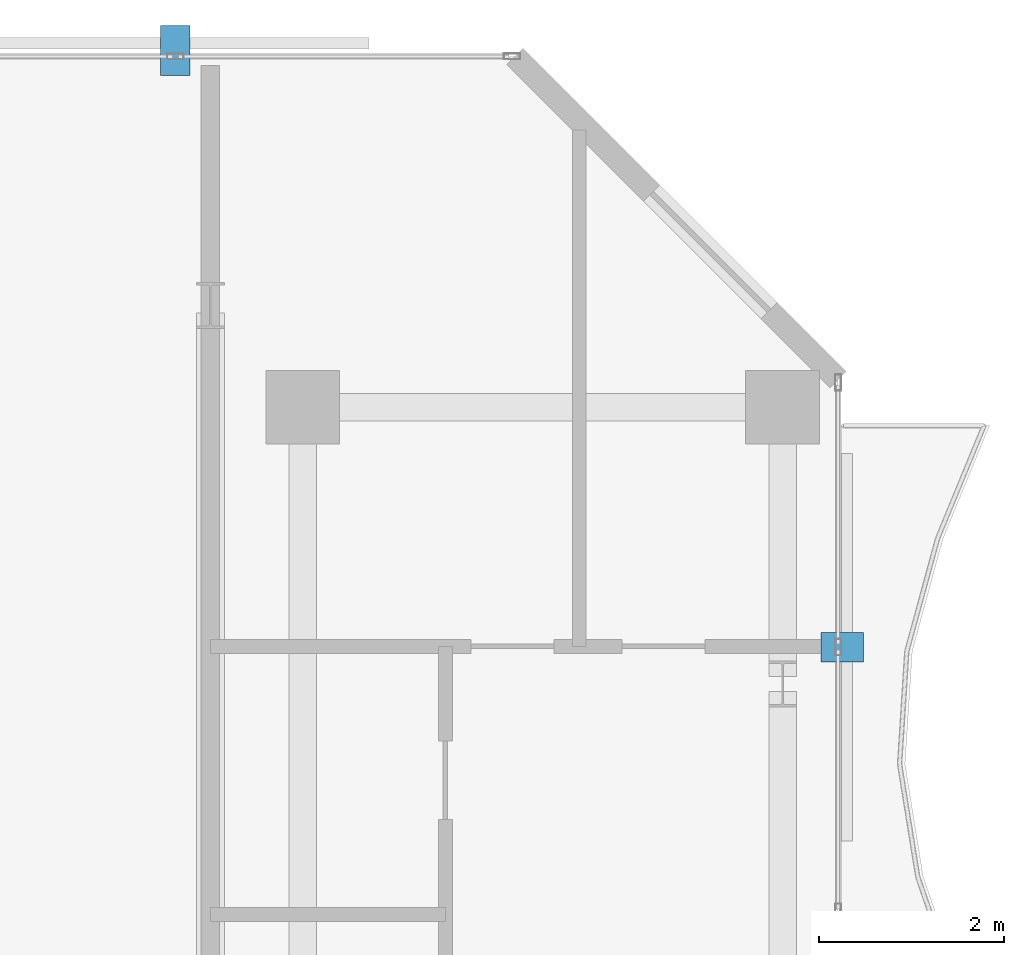
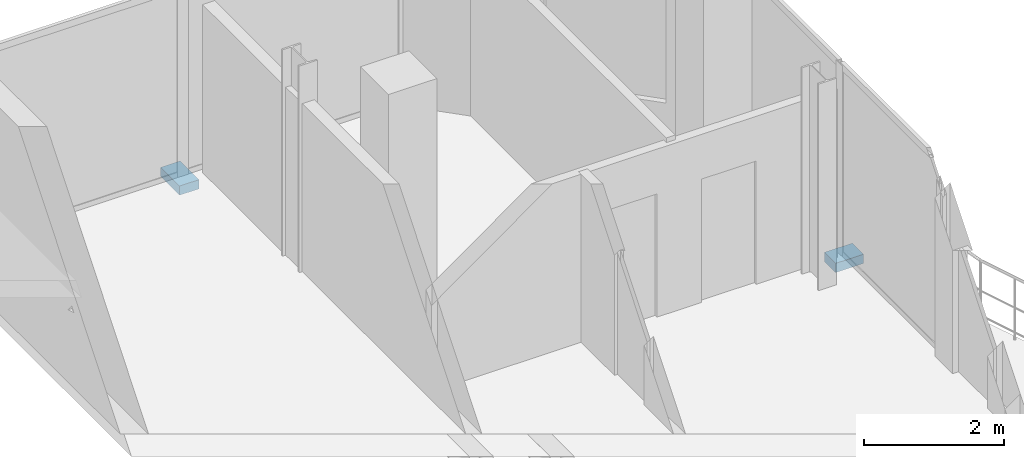
# One storey, part 21 of 24: 2 discrete accessories.
"""IFC4 building model written with IfcOpenShell, lengths in metres."""

from ifc_helpers import new_model, si_unit, direction, frame, origin, origin_2d, place, context, subcontext, project, spatial, rectangle, extrude, material, type_object, element, save


model = new_model("IFC4")

# Units and contexts
model_context = context("Model", 3, precision=1e-05, world=origin(), true_north=direction((0.0, 1.0)))
body_context = subcontext(model_context, "Body", "Model", "MODEL_VIEW")
ifc_project = project(units=[si_unit("LENGTHUNIT", "METRE"), si_unit("AREAUNIT", "SQUARE_METRE"), si_unit("VOLUMEUNIT", "CUBIC_METRE"), si_unit("PLANEANGLEUNIT", "RADIAN"), si_unit("MASSUNIT", "GRAM", prefix="KILO")], contexts=[model_context])

# Site, building, storey
site_placement = place(None, origin())
site = spatial("IfcSite", under=ifc_project, at=site_placement, CompositionType="ELEMENT")
building_placement = place(site_placement, origin())
building = spatial("IfcBuilding", under=site, at=building_placement, Name="Catumbela Crestline Tower", CompositionType="ELEMENT")
storey_placement = place(building_placement, frame((0.0, 0.0, 157.8)))
storey = spatial("IfcBuildingStorey", under=building, at=storey_placement, Name="L40", CompositionType="ELEMENT", Elevation=157.8)

# Discrete accessories
ifc_material = material(Name="Stainless steel EN 1.4401", Category="steel")
discrete_accessory_type = type_object("IfcDiscreteAccessoryType", Name="BK-SS1", PredefinedType="BRACKET", material=ifc_material)
discrete_accessory_1_placement = place(storey_placement, frame((51.045, 36.6, -0.18), z_axis=(0.0, 0.0, 1.0), x_axis=(0.0, 1.0, 0.0)))
element("IfcDiscreteAccessory", 1, at=discrete_accessory_1_placement, inside=storey, type_object=discrete_accessory_type, Name="L40 Solar Screen Stainless Bracket 438", PredefinedType="BRACKET", context=body_context, shape_type="SweptSolid", body=[
    extrude(rectangle(XDim=0.32, YDim=0.46, at=origin_2d()), origin(), (0.0, 0.0, 1.0), 0.16),
])
discrete_accessory_2_placement = place(storey_placement, frame((43.82, 43.065, -0.18), z_axis=(0.0, 0.0, 1.0), x_axis=(-1.0, 0.0, 0.0)))
element("IfcDiscreteAccessory", 2, at=discrete_accessory_2_placement, inside=storey, type_object=discrete_accessory_type, Name="L40 Solar Screen Stainless Bracket 439", PredefinedType="BRACKET", context=body_context, shape_type="SweptSolid", body=[
    extrude(rectangle(XDim=0.32, YDim=0.54, at=origin_2d()), origin(), (0.0, 0.0, 1.0), 0.16),
])

save(model, "model.ifc")
